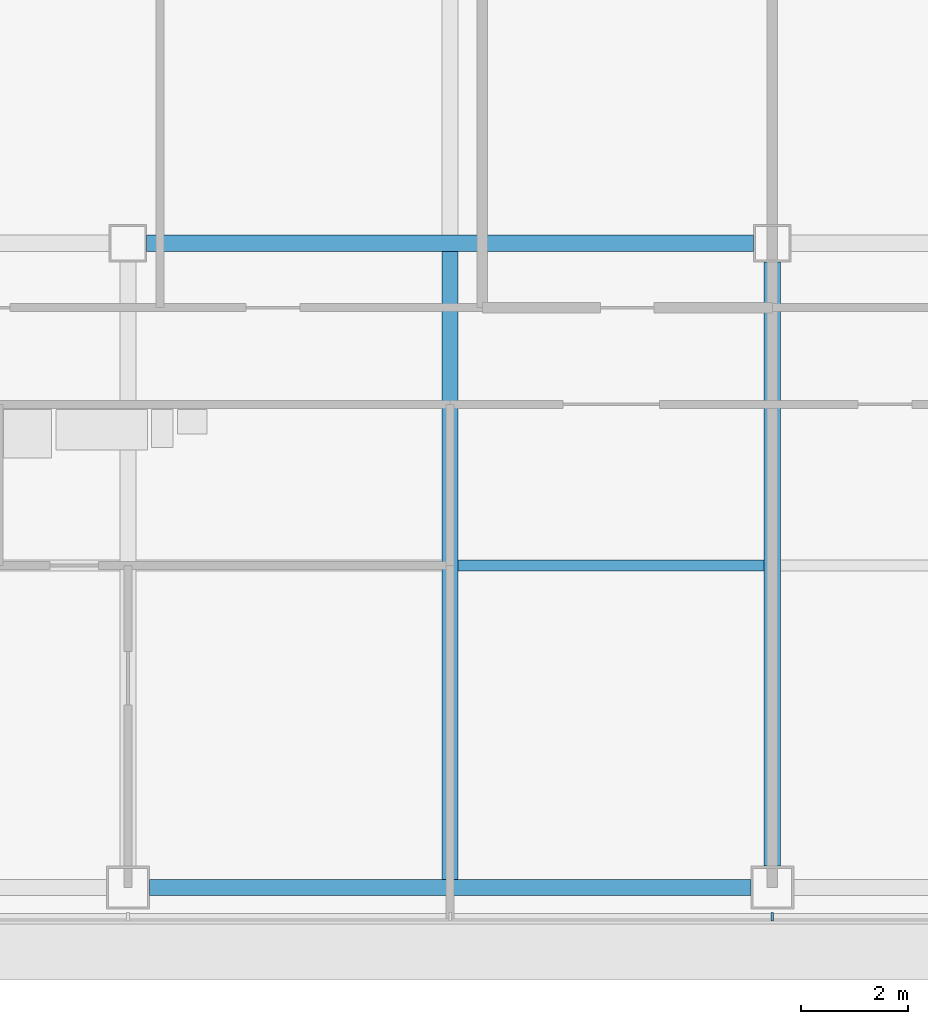
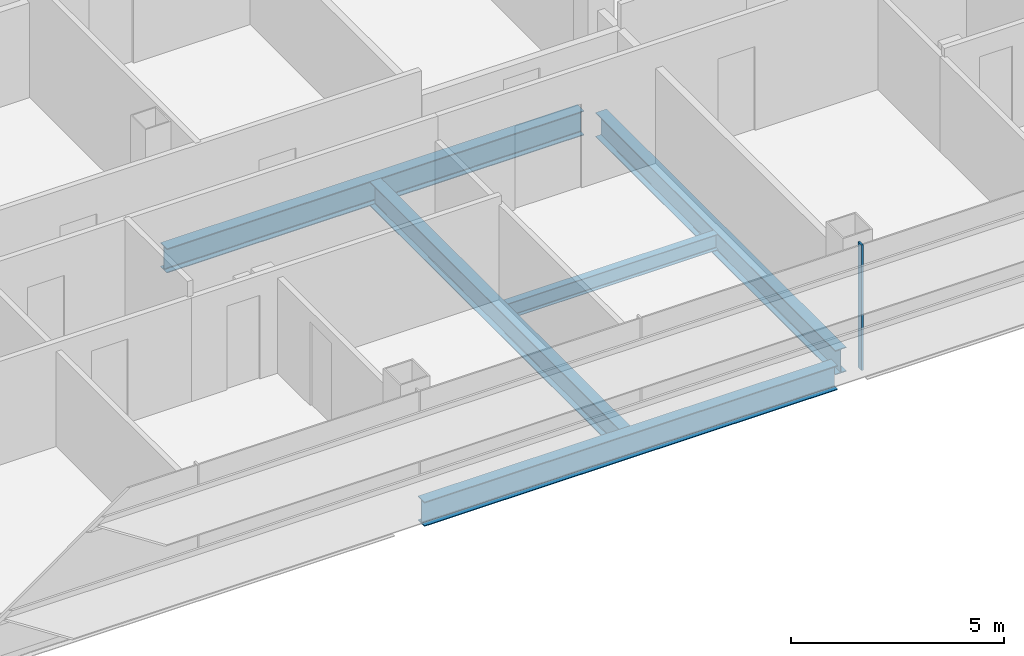
# One storey, part 3 of 25: 5 beams, 1 member, 1 element without a shape of its own.
"""IFC4 building model written with IfcOpenShell, lengths in metres."""

from ifc_helpers import new_model, si_unit, direction, frame, origin, origin_2d, place, context, subcontext, project, spatial, rectangle, i_section, extrude, material, material_profile, profile_set, type_object, element, aggregate, save


model = new_model("IFC4")

# Units and contexts
model_context = context("Model", 3, precision=1e-05, world=origin(), true_north=direction((0.0, 1.0)))
body_context = subcontext(model_context, "Body", "Model", "MODEL_VIEW")
ifc_project = project(units=[si_unit("LENGTHUNIT", "METRE"), si_unit("AREAUNIT", "SQUARE_METRE"), si_unit("VOLUMEUNIT", "CUBIC_METRE"), si_unit("PLANEANGLEUNIT", "RADIAN"), si_unit("MASSUNIT", "GRAM", prefix="KILO")], contexts=[model_context])

# Site, building, storey
site_placement = place(None, origin())
site = spatial("IfcSite", under=ifc_project, at=site_placement, CompositionType="ELEMENT")
building_placement = place(site_placement, origin())
building = spatial("IfcBuilding", under=site, at=building_placement, Name="Sorahane Residences", CompositionType="ELEMENT")
storey_placement = place(building_placement, frame((0.0, 0.0, 119.60009765625)))
storey = spatial("IfcBuildingStorey", under=building, at=storey_placement, Name="L26", CompositionType="ELEMENT", Elevation=119.60009765625)

# Curtain wall, member
ifc_material_1 = material(Name="Dark low-e glass and black anodised aluminium", Category="aluminium")
curtain_wall_type = type_object("IfcCurtainWallType", Name="Curtain wall CW-1 Typical unitised wall", PredefinedType="NOTDEFINED", material=ifc_material_1)
curtain_wall_placement = place(storey_placement, origin())
curtain_wall = element("IfcCurtainWall", 1, at=curtain_wall_placement, inside=storey, type_object=curtain_wall_type, Name="CW-1 curtain wall L26 S1", PredefinedType="NOTDEFINED")
ifc_material_2 = material(Name="Black anodised aluminium", Category="aluminium")
ifc_material_profile_1 = material_profile(ifc_material_2, rectangle(XDim=0.159912109375, YDim=0.050048828125, at=origin_2d()), Name="Curtain wall mullion CW-1 black anodised aluminium 50x160")
ifc_profile_set_1 = profile_set([ifc_material_profile_1], Name="Black anodised aluminium")
member_type = type_object("IfcMemberType", Name="Curtain wall mullion CW-1 black anodised aluminium 50x160", PredefinedType="MULLION", material=ifc_profile_set_1)
member_placement = place(storey_placement, frame((24.0, -0.5400390625, -0.18017578125), z_axis=(0.0, 0.0, 1.0), x_axis=(0.0, -1.0, 0.0)))
member = element("IfcMember", 2, at=member_placement, type_object=member_type, Name="CW-1 mullion L26 S1.5", PredefinedType="MULLION", context=body_context, shape_type="SweptSolid", body=[
    extrude(rectangle(XDim=0.159912109375, YDim=0.050048828125, at=origin_2d()), origin(), (0.0, 0.0, 1.0), 3.60009765625),
])
aggregate(curtain_wall, [member])

# Beams
ifc_material_3 = material(Name="Steel Q355B", Category="steel")
ifc_material_profile_2 = material_profile(ifc_material_3, i_section(OverallWidth=0.199951171875, OverallDepth=0.449951171875, WebThickness=0.009033203125, FlangeThickness=0.013916015625, FilletRadius=0.02001953125, at=origin_2d()), Name="HN 450x200x9x14")
ifc_profile_set_2 = profile_set([ifc_material_profile_2], Name="Steel Q355B")
beam_type_1 = type_object("IfcBeamType", Name="Steel floor beam HN 450x200x9x14 Q355B", PredefinedType="BEAM", material=ifc_profile_set_2)
beam_1_placement = place(storey_placement, frame((18.14990234375, 6.0, -0.405029296875), z_axis=(1.0, 0.0, 0.0), x_axis=(0.0, 1.0, 0.0)))
element("IfcBeam", 3, at=beam_1_placement, inside=storey, type_object=beam_type_1, Name="Beam L26 072", PredefinedType="BEAM", context=body_context, shape_type="SweptSolid", body=[
    extrude(i_section(OverallWidth=0.199951171875, OverallDepth=0.449951171875, WebThickness=0.009033203125, FlangeThickness=0.013916015625, FilletRadius=0.02001953125, at=origin_2d()), origin(), (0.0, 0.0, 1.0), 5.7001953125),
])
ifc_material_4 = material(Name="Steel Q355B", Category="steel")
ifc_material_profile_3 = material_profile(ifc_material_4, i_section(OverallWidth=0.300048828125, OverallDepth=0.699951171875, WebThickness=0.012939453125, FlangeThickness=0.02392578125, FilletRadius=0.028076171875, at=origin_2d()), Name="HN 700x300x13x24")
ifc_profile_set_3 = profile_set([ifc_material_profile_3], Name="Steel Q355B")
beam_type_2 = type_object("IfcBeamType", Name="Steel floor beam HN 700x300x13x24 Q355B", PredefinedType="BEAM", material=ifc_profile_set_3)
beam_2_placement = place(storey_placement, frame((12.39990234375, 0.0, -0.530029296875), z_axis=(1.0, 0.0, 0.0), x_axis=(0.0, 1.0, 0.0)))
element("IfcBeam", 4, at=beam_2_placement, inside=storey, type_object=beam_type_2, Name="Beam L26 001", PredefinedType="BEAM", context=body_context, shape_type="SweptSolid", body=[
    extrude(i_section(OverallWidth=0.300048828125, OverallDepth=0.699951171875, WebThickness=0.012939453125, FlangeThickness=0.02392578125, FilletRadius=0.028076171875, at=origin_2d()), origin(), (0.0, 0.0, 1.0), 11.2001953125),
])
beam_3_placement = place(storey_placement, frame((12.35009765625, 12.0, -0.530029296875), z_axis=(1.0, 0.0, 0.0), x_axis=(0.0, 1.0, 0.0)))
element("IfcBeam", 5, at=beam_3_placement, inside=storey, type_object=beam_type_2, Name="Beam L26 007", PredefinedType="BEAM", context=body_context, shape_type="SweptSolid", body=[
    extrude(i_section(OverallWidth=0.300048828125, OverallDepth=0.699951171875, WebThickness=0.012939453125, FlangeThickness=0.02392578125, FilletRadius=0.028076171875, at=origin_2d()), origin(), (0.0, 0.0, 1.0), 11.2998046875),
])
beam_4_placement = place(storey_placement, frame((18.0, 0.14990234375, -0.530029296875), z_axis=(0.0, 1.0, 0.0), x_axis=(-1.0, 0.0, 0.0)))
element("IfcBeam", 6, at=beam_4_placement, inside=storey, type_object=beam_type_2, Name="Beam L26 036", PredefinedType="BEAM", context=body_context, shape_type="SweptSolid", body=[
    extrude(i_section(OverallWidth=0.300048828125, OverallDepth=0.699951171875, WebThickness=0.012939453125, FlangeThickness=0.02392578125, FilletRadius=0.028076171875, at=origin_2d()), origin(), (0.0, 0.0, 1.0), 11.7001953125),
])
beam_5_placement = place(storey_placement, frame((24.0, 0.39990234375, -0.530029296875), z_axis=(0.0, 1.0, 0.0), x_axis=(-1.0, 0.0, 0.0)))
element("IfcBeam", 7, at=beam_5_placement, inside=storey, type_object=beam_type_2, Name="Beam L26 042", PredefinedType="BEAM", context=body_context, shape_type="SweptSolid", body=[
    extrude(i_section(OverallWidth=0.300048828125, OverallDepth=0.699951171875, WebThickness=0.012939453125, FlangeThickness=0.02392578125, FilletRadius=0.028076171875, at=origin_2d()), origin(), (0.0, 0.0, 1.0), 11.25),
])

save(model, "model.ifc")
